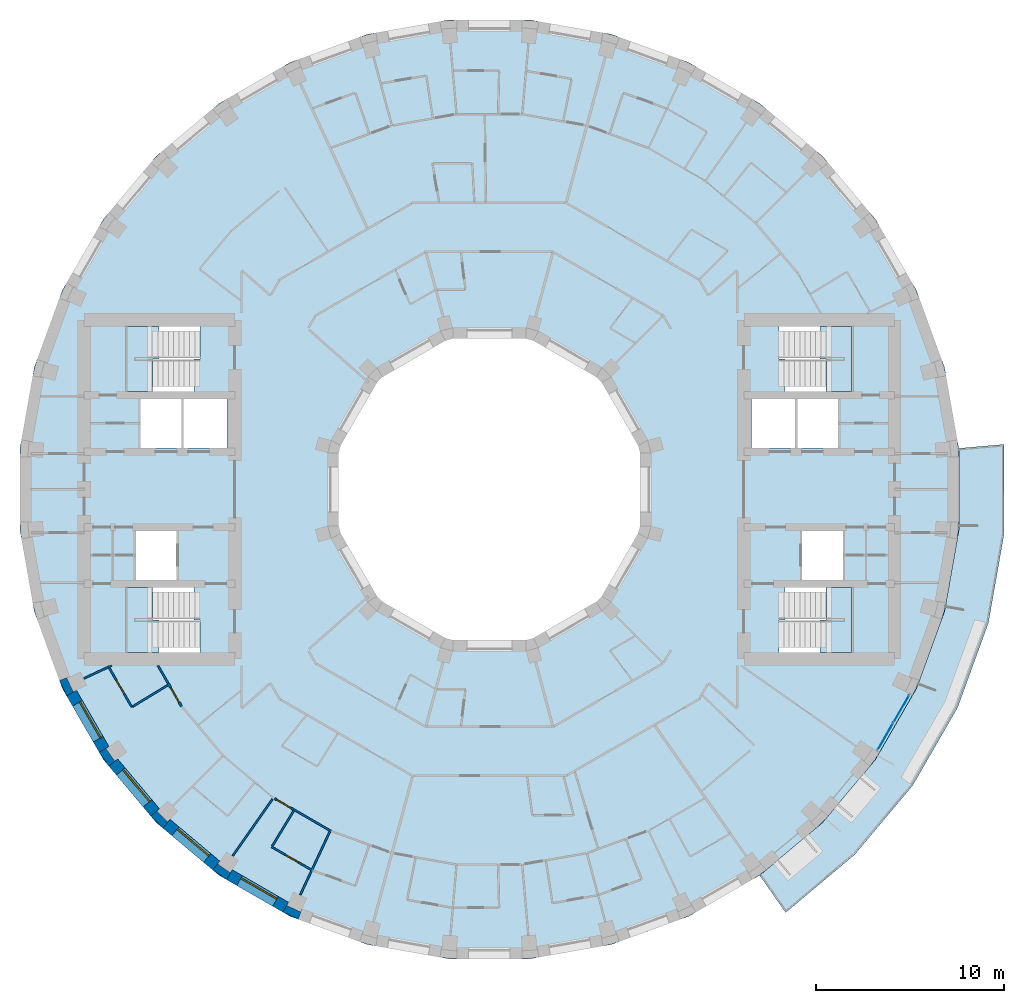
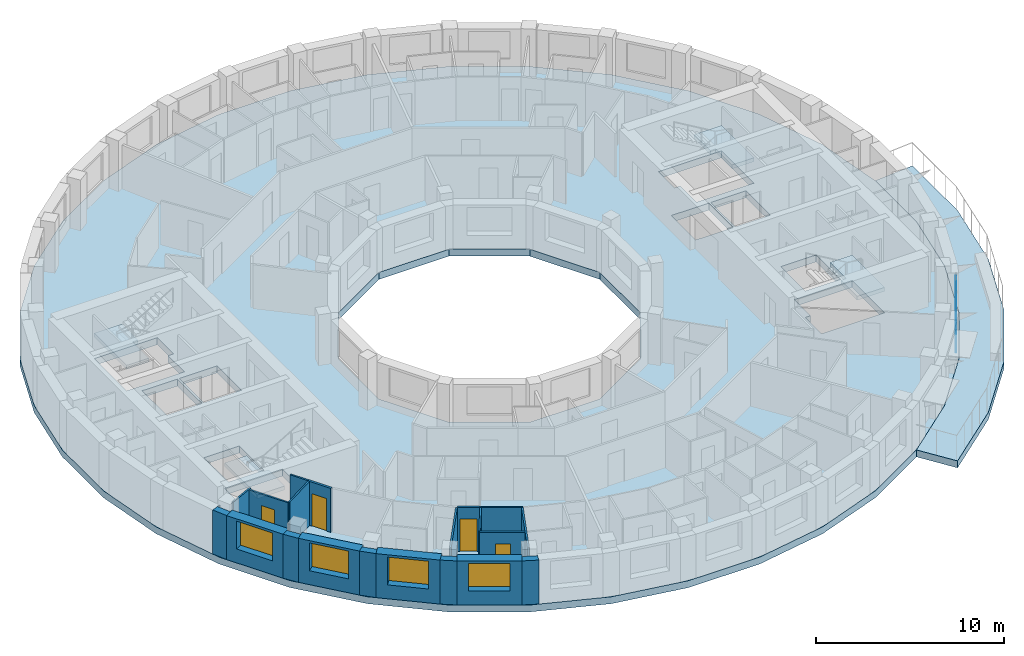
# One storey, part 3 of 14: 20 walls, 6 slabs, 4 doors, 4 plates, 4 windows, 8 openings, 5 elements without a shape of their own.
"""IFC4 building model written with IfcOpenShell, lengths in metres."""

from ifc_helpers import new_model, si_unit, direction, frame, frame_2d, origin, origin_2d, place, context, subcontext, project, spatial, polyline, rectangle, outline, extrude, material, layer, layer_set, type_object, element, fill, aggregate, save


model = new_model("IFC4")

# Units and contexts
model_context = context("Model", 3, precision=1e-05, world=origin(), true_north=direction((0.0, 1.0)))
body_context = subcontext(model_context, "Body", "Model", "MODEL_VIEW")
ifc_project = project(units=[si_unit("LENGTHUNIT", "METRE"), si_unit("AREAUNIT", "SQUARE_METRE"), si_unit("VOLUMEUNIT", "CUBIC_METRE"), si_unit("PLANEANGLEUNIT", "RADIAN"), si_unit("MASSUNIT", "GRAM", prefix="KILO")], contexts=[model_context])

# Site, building, storey
site_placement = place(None, origin())
site = spatial("IfcSite", under=ifc_project, at=site_placement, CompositionType="ELEMENT")
building_placement = place(site_placement, origin())
building = spatial("IfcBuilding", under=site, at=building_placement, Name="Saqina Gate Tower", CompositionType="ELEMENT")
storey_placement = place(building_placement, frame((0.0, 0.0, 174.0)))
storey = spatial("IfcBuildingStorey", under=building, at=storey_placement, Name="L49", CompositionType="ELEMENT", Elevation=174.0)

# Curtain wall, plates
ifc_material_1 = material(Name="Aluminium glazing", Category="aluminium")
ifc_layer_1 = layer(ifc_material_1, 0.159912109375)
ifc_layer_set_1 = layer_set([ifc_layer_1], Name="CWT-4")
curtain_wall_type = type_object("IfcCurtainWallType", Name="CWT-4", PredefinedType="NOTDEFINED", material=ifc_layer_set_1)
curtain_wall_placement = place(storey_placement, origin())
curtain_wall = element("IfcCurtainWall", 1, at=curtain_wall_placement, inside=storey, type_object=curtain_wall_type, Name="Terrace lounge glazing facet 33", PredefinedType="NOTDEFINED")
ifc_material_2 = material(Name="Glass", Category="glass")
ifc_layer_2 = layer(ifc_material_2, 0.028076171875)
ifc_layer_set_2 = layer_set([ifc_layer_2], Name="CWT-4P")
plate_type = type_object("IfcPlateType", Name="CWT-4P", PredefinedType="CURTAIN_PANEL", material=ifc_layer_set_2)
plate_1_placement = place(storey_placement, frame((21.0146484375, -13.111328125, 0.06005859375), z_axis=(0.0, 0.0, 1.0), x_axis=(0.500014364391, 0.866017110341, 0.0)))
plate_1 = element("IfcPlate", 2, at=plate_1_placement, type_object=plate_type, Name="CW4-33 panel 1.1", PredefinedType="CURTAIN_PANEL", context=body_context, shape_type="SweptSolid", body=[
    extrude(rectangle(XDim=1.634765625, YDim=0.028076171875, at=origin_2d()), origin(), (0.0, 0.0, 1.0), 2.31005859375),
])
plate_2_placement = place(storey_placement, frame((21.0146484375, -13.111328125, 2.43017578125), z_axis=(0.0, 0.0, 1.0), x_axis=(0.500014364391, 0.866017110341, 0.0)))
plate_2 = element("IfcPlate", 3, at=plate_2_placement, type_object=plate_type, Name="CW4-33 panel 1.2", PredefinedType="CURTAIN_PANEL", context=body_context, shape_type="SweptSolid", body=[
    extrude(rectangle(XDim=1.634765625, YDim=0.028076171875, at=origin_2d()), origin(), (0.0, 0.0, 1.0), 0.360107421875),
])
plate_3_placement = place(storey_placement, frame((21.862060546875, -11.6435546875, 0.06005859375), z_axis=(0.0, 0.0, 1.0), x_axis=(0.500014364391, 0.866017110341, 0.0)))
plate_3 = element("IfcPlate", 4, at=plate_3_placement, type_object=plate_type, Name="CW4-33 panel 2.1", PredefinedType="CURTAIN_PANEL", context=body_context, shape_type="SweptSolid", body=[
    extrude(rectangle(XDim=1.634765625, YDim=0.028076171875, at=origin_2d()), origin(), (0.0, 0.0, 1.0), 2.31005859375),
])
plate_4_placement = place(storey_placement, frame((21.862060546875, -11.6435546875, 2.43017578125), z_axis=(0.0, 0.0, 1.0), x_axis=(0.500014364391, 0.866017110341, 0.0)))
plate_4 = element("IfcPlate", 5, at=plate_4_placement, type_object=plate_type, Name="CW4-33 panel 2.2", PredefinedType="CURTAIN_PANEL", context=body_context, shape_type="SweptSolid", body=[
    extrude(rectangle(XDim=1.634765625, YDim=0.028076171875, at=origin_2d()), origin(), (0.0, 0.0, 1.0), 0.360107421875),
])
aggregate(curtain_wall, [plate_1, plate_2, plate_3, plate_4])

# Stair, slab
ifc_material_3 = material(Name="Concrete C40/50", Category="concrete")
stair_type = type_object("IfcStairType", Name="EXIT STAIR", PredefinedType="HALF_TURN_STAIR", material=ifc_material_3)
stair_1_placement = place(storey_placement, origin())
stair_1 = element("IfcStair", 6, at=stair_1_placement, inside=storey, type_object=stair_type, Name="EXIT STAIR 1", PredefinedType="HALF_TURN_STAIR")
ifc_material_4 = material(Name="Concrete C40/50", Category="concrete")
ifc_layer_3 = layer(ifc_material_4, 0.25)
ifc_layer_set_3 = layer_set([ifc_layer_3], Name="Concrete C40/50")
slab_type_1 = type_object("IfcSlabType", Name="EXIT STAIR LANDING", PredefinedType="LANDING", material=ifc_layer_set_3)
slab_1_placement = place(storey_placement, frame((0.0, 0.0, 1.39990234375)))
slab_1 = element("IfcSlab", 7, at=slab_1_placement, type_object=slab_type_1, Name="EXIT STAIR 1 LANDING 1", PredefinedType="LANDING", context=body_context, shape_type="SweptSolid", body=[
    extrude(outline(polyline([(19.219970703125, 8.64990234375), (19.219970703125, 5.199951171875), (17.864990234375, 5.199951171875), (17.864990234375, 6.925048828125), (17.534423828125, 6.925048828125), (17.534423828125, 8.64990234375), (17.864990234375, 8.64990234375), (17.8701171875, 8.64990234375), (19.219970703125, 8.64990234375)])), origin(), (0.0, 0.0, 1.0), 0.25),
])
aggregate(stair_1, [slab_1])

stair_2_placement = place(storey_placement, origin())
stair_2 = element("IfcStair", 8, at=stair_2_placement, inside=storey, type_object=stair_type, Name="EXIT STAIR 2", PredefinedType="HALF_TURN_STAIR")
slab_2_placement = place(storey_placement, frame((0.0, 0.0, 1.39990234375)))
slab_2 = element("IfcSlab", 9, at=slab_2_placement, type_object=slab_type_1, Name="EXIT STAIR 2 LANDING 1", PredefinedType="LANDING", context=body_context, shape_type="SweptSolid", body=[
    extrude(outline(polyline([(17.534423828125, -8.64990234375), (17.534423828125, -6.925048828125), (17.864990234375, -6.925048828125), (17.864990234375, -5.199951171875), (19.219970703125, -5.199951171875), (19.219970703125, -8.64990234375), (17.8701171875, -8.64990234375), (17.864990234375, -8.64990234375), (17.534423828125, -8.64990234375)])), origin(), (0.0, 0.0, 1.0), 0.25),
])
aggregate(stair_2, [slab_2])

stair_3_placement = place(storey_placement, origin())
stair_3 = element("IfcStair", 10, at=stair_3_placement, inside=storey, type_object=stair_type, Name="EXIT STAIR 3", PredefinedType="HALF_TURN_STAIR")
slab_3_placement = place(storey_placement, frame((0.0, 0.0, 1.39990234375)))
slab_3 = element("IfcSlab", 11, at=slab_3_placement, type_object=slab_type_1, Name="EXIT STAIR 3 LANDING 1", PredefinedType="LANDING", context=body_context, shape_type="SweptSolid", body=[
    extrude(outline(polyline([(-17.864990234375, 5.199951171875), (-19.219970703125, 5.199951171875), (-19.219970703125, 8.64990234375), (-17.8701171875, 8.64990234375), (-17.864990234375, 8.64990234375), (-17.534423828125, 8.64990234375), (-17.534423828125, 6.925048828125), (-17.864990234375, 6.925048828125), (-17.864990234375, 5.199951171875)])), origin(), (0.0, 0.0, 1.0), 0.25),
])
aggregate(stair_3, [slab_3])

stair_4_placement = place(storey_placement, origin())
stair_4 = element("IfcStair", 12, at=stair_4_placement, inside=storey, type_object=stair_type, Name="EXIT STAIR 4", PredefinedType="HALF_TURN_STAIR")
slab_4_placement = place(storey_placement, frame((0.0, 0.0, 1.39990234375)))
slab_4 = element("IfcSlab", 13, at=slab_4_placement, type_object=slab_type_1, Name="EXIT STAIR 4 LANDING 1", PredefinedType="LANDING", context=body_context, shape_type="SweptSolid", body=[
    extrude(outline(polyline([(-17.534423828125, -6.925048828125), (-17.534423828125, -8.64990234375), (-17.864990234375, -8.64990234375), (-17.8701171875, -8.64990234375), (-19.219970703125, -8.64990234375), (-19.219970703125, -5.199951171875), (-17.864990234375, -5.199951171875), (-17.864990234375, -6.925048828125), (-17.534423828125, -6.925048828125)])), origin(), (0.0, 0.0, 1.0), 0.25),
])
aggregate(stair_4, [slab_4])

# Slabs
ifc_material_5 = material(Name="Concrete C40/50", Category="concrete")
ifc_layer_4 = layer(ifc_material_5, 0.449951171875)
ifc_layer_set_4 = layer_set([ifc_layer_4], Name="Concrete C40/50")
slab_type_2 = type_object("IfcSlabType", Name="STR-POST-TENSIONED FLAT PLATE FLOOR-450", PredefinedType="FLOOR", material=ifc_layer_set_4)
slab_5_placement = place(storey_placement, frame((0.0, 0.0, -0.449951171875)))
element("IfcSlab", 14, at=slab_5_placement, inside=storey, type_object=slab_type_2, Name="L49-SLB01", PredefinedType="FLOOR", context=body_context, shape_type="SweptSolid", body=[
    extrude(outline(polyline([(24.148193359375, -6.470458984375), (24.90478515625, -2.178955078125), (24.90478515625, 2.178955078125), (24.148193359375, 6.470458984375), (22.65771484375, 10.5654296875), (20.478759765625, 14.33935546875), (17.677734375, 17.677734375), (14.33935546875, 20.478759765625), (10.5654296875, 22.65771484375), (6.470458984375, 24.148193359375), (2.178955078125, 24.90478515625), (-2.178955078125, 24.90478515625), (-6.470458984375, 24.148193359375), (-10.5654296875, 22.65771484375), (-14.33935546875, 20.478759765625), (-17.677734375, 17.677734375), (-20.478759765625, 14.33935546875), (-22.65771484375, 10.5654296875), (-24.148193359375, 6.470458984375), (-24.90478515625, 2.178955078125), (-24.90478515625, -2.178955078125), (-24.148193359375, -6.470458984375), (-22.65771484375, -10.5654296875), (-20.478759765625, -14.33935546875), (-17.677734375, -17.677734375), (-14.33935546875, -20.478759765625), (-10.5654296875, -22.65771484375), (-6.470458984375, -24.148193359375), (-2.178955078125, -24.90478515625), (2.178955078125, -24.90478515625), (6.470458984375, -24.148193359375), (10.5654296875, -22.65771484375), (14.33935546875, -20.478759765625), (17.677734375, -17.677734375), (20.478759765625, -14.33935546875), (22.65771484375, -10.5654296875), (24.148193359375, -6.470458984375)]), holes=[polyline([(2.1435546875, 8.0), (5.8564453125, 5.8564453125), (8.0, 2.1435546875), (8.0, -2.1435546875), (5.8564453125, -5.8564453125), (2.1435546875, -8.0), (-2.1435546875, -8.0), (-5.8564453125, -5.8564453125), (-8.0, -2.1435546875), (-8.0, 2.1435546875), (-5.8564453125, 5.8564453125), (-2.1435546875, 8.0), (2.1435546875, 8.0)]), polyline([(-15.35498046875, -8.64990234375), (-19.219970703125, -8.64990234375), (-19.219970703125, -6.925048828125), (-19.219970703125, -5.199951171875), (-15.685546875, -5.199951171875), (-15.685546875, -6.925048828125), (-15.35498046875, -6.925048828125), (-15.35498046875, -8.64990234375)]), polyline([(-16.590087890625, -2.199951171875), (-16.590087890625, -4.800048828125), (-18.75, -4.800048828125), (-18.75, -2.199951171875), (-16.590087890625, -2.199951171875)]), polyline([(-16.340087890625, 4.800048828125), (-16.340087890625, 2.199951171875), (-18.5, 2.199951171875), (-18.5, 4.800048828125), (-16.340087890625, 4.800048828125)]), polyline([(-13.909912109375, 4.800048828125), (-13.909912109375, 2.199951171875), (-16.219970703125, 2.199951171875), (-16.219970703125, 4.800048828125), (-13.909912109375, 4.800048828125)]), polyline([(-19.219970703125, 6.925048828125), (-19.219970703125, 8.64990234375), (-15.35498046875, 8.64990234375), (-15.35498046875, 6.925048828125), (-15.685546875, 6.925048828125), (-15.685546875, 5.199951171875), (-19.219970703125, 5.199951171875), (-19.219970703125, 6.925048828125)]), polyline([(15.35498046875, -8.64990234375), (15.35498046875, -6.925048828125), (15.685546875, -6.925048828125), (15.685546875, -5.199951171875), (19.219970703125, -5.199951171875), (19.219970703125, -6.925048828125), (19.219970703125, -8.64990234375), (15.35498046875, -8.64990234375)]), polyline([(18.75, -2.199951171875), (18.75, -4.800048828125), (16.590087890625, -4.800048828125), (16.590087890625, -2.199951171875), (18.75, -2.199951171875)]), polyline([(16.219970703125, 4.800048828125), (16.219970703125, 2.199951171875), (13.909912109375, 2.199951171875), (13.909912109375, 4.800048828125), (16.219970703125, 4.800048828125)]), polyline([(18.5, 4.800048828125), (18.5, 2.199951171875), (16.340087890625, 2.199951171875), (16.340087890625, 4.800048828125), (18.5, 4.800048828125)]), polyline([(15.685546875, 6.925048828125), (15.35498046875, 6.925048828125), (15.35498046875, 8.64990234375), (19.219970703125, 8.64990234375), (19.219970703125, 6.925048828125), (19.219970703125, 5.199951171875), (15.685546875, 5.199951171875), (15.685546875, 6.925048828125)])]), origin(), (0.0, 0.0, 1.0), 0.449951171875),
])
ifc_material_6 = material(Name="Concrete C40/50", Category="concrete")
ifc_layer_5 = layer(ifc_material_6, 0.449951171875)
ifc_layer_set_5 = layer_set([ifc_layer_5], Name="Concrete C40/50")
slab_type_3 = type_object("IfcSlabType", Name="STR-POST-TENSIONED FLAT PLATE TERRACE-450", PredefinedType="FLOOR", material=ifc_layer_set_5)
slab_6_placement = place(storey_placement, frame((0.0, 0.0, -0.449951171875)))
element("IfcSlab", 15, at=slab_6_placement, inside=storey, type_object=slab_type_3, Name="L49-TRS01", PredefinedType="FLOOR", context=body_context, shape_type="SweptSolid", body=[
    extrude(outline(polyline([(14.33935546875, -20.478759765625), (17.677734375, -17.677734375), (20.478759765625, -14.33935546875), (22.65771484375, -10.5654296875), (24.148193359375, -6.470458984375), (24.90478515625, -2.178955078125), (24.90478515625, 2.178955078125), (27.304931640625, 2.388916015625), (27.304931640625, -2.388916015625), (26.475341796875, -7.093994140625), (24.841064453125, -11.58349609375), (22.452392578125, -15.72119140625), (19.381103515625, -19.381103515625), (15.72119140625, -22.452392578125), (14.33935546875, -20.478759765625)])), origin(), (0.0, 0.0, 1.0), 0.449951171875),
])

# Walls
ifc_material_7 = material(Name="Brick masonry (buff)", Category="masonry")
wall_type_1 = type_object("IfcWallType", Name="BRICK PIER COPING BUFF", PredefinedType="SOLIDWALL", material=ifc_material_7)
wall_1_placement = place(storey_placement, origin())
element("IfcWall", 16, at=wall_1_placement, inside=storey, type_object=wall_type_1, Name="Pier cap L49 column 21", PredefinedType="SOLIDWALL", context=body_context, shape_type="SweptSolid", body=[
    extrude(outline(polyline([(-22.4306640625, -10.958740234375), (-21.9111328125, -10.65869140625), (-22.080810546875, -10.73779296875), (-22.4189453125, -10.0126953125), (-22.249267578125, -9.93359375), (-22.81298828125, -10.138916015625), (-22.4306640625, -10.958740234375)])), origin(), (0.0, 0.0, 1.0), 2.85009765625),
])
wall_2_placement = place(storey_placement, origin())
element("IfcWall", 17, at=wall_2_placement, inside=storey, type_object=wall_type_1, Name="Pier cap L49 column 22", PredefinedType="SOLIDWALL", context=body_context, shape_type="SweptSolid", body=[
    extrude(outline(polyline([(-20.705810546875, -13.9462890625), (-20.18701171875, -14.687255859375), (-19.727294921875, -14.301513671875), (-19.880859375, -14.408935546875), (-20.339599609375, -13.753662109375), (-20.186279296875, -13.646240234375), (-20.705810546875, -13.9462890625)])), origin(), (0.0, 0.0, 1.0), 2.85009765625),
])
wall_3_placement = place(storey_placement, origin())
element("IfcWall", 18, at=wall_3_placement, inside=storey, type_object=wall_type_1, Name="Pier cap L49 column 23", PredefinedType="SOLIDWALL", context=body_context, shape_type="SweptSolid", body=[
    extrude(outline(polyline([(-17.329833984375, -17.969482421875), (-16.944091796875, -17.510009765625), (-17.07666015625, -17.642333984375), (-17.642333984375, -17.07666015625), (-17.510009765625, -16.944091796875), (-17.969482421875, -17.329833984375), (-17.329833984375, -17.969482421875)])), origin(), (0.0, 0.0, 1.0), 2.85009765625),
])
wall_4_placement = place(storey_placement, origin())
element("IfcWall", 19, at=wall_4_placement, inside=storey, type_object=wall_type_1, Name="Pier cap L49 column 24", PredefinedType="SOLIDWALL", context=body_context, shape_type="SweptSolid", body=[
    extrude(outline(polyline([(-14.687255859375, -20.18701171875), (-13.9462890625, -20.705810546875), (-13.646240234375, -20.186279296875), (-13.753662109375, -20.339599609375), (-14.408935546875, -19.880859375), (-14.301513671875, -19.727294921875), (-14.687255859375, -20.18701171875)])), origin(), (0.0, 0.0, 1.0), 2.85009765625),
])
wall_5_placement = place(storey_placement, origin())
element("IfcWall", 20, at=wall_5_placement, inside=storey, type_object=wall_type_1, Name="Pier cap L49 column 25", PredefinedType="SOLIDWALL", context=body_context, shape_type="SweptSolid", body=[
    extrude(outline(polyline([(-10.138916015625, -22.81298828125), (-9.93359375, -22.249267578125), (-10.0126953125, -22.4189453125), (-10.73779296875, -22.080810546875), (-10.65869140625, -21.9111328125), (-10.958740234375, -22.4306640625), (-10.138916015625, -22.81298828125)])), origin(), (0.0, 0.0, 1.0), 2.85009765625),
])

# Wall, opening, window
ifc_material_8 = material(Name="Brick masonry (buff)", Category="masonry")
ifc_layer_6 = layer(ifc_material_8, 0.60009765625)
ifc_layer_set_6 = layer_set([ifc_layer_6], Name="FW-BRICK-BUFF")
wall_type_2 = type_object("IfcWallType", Name="FW-BRICK-BUFF", PredefinedType="SOLIDWALL", material=ifc_layer_set_6)
wall_6_placement = place(storey_placement, frame((-22.1708984375, -10.80859375, 0.0), z_axis=(0.0, 0.0, 1.0), x_axis=(0.499998129301, -0.86602648383, 0.0)))
wall_6 = element("IfcWall", 21, at=wall_6_placement, inside=storey, type_object=wall_type_2, Name="Facade wall L49 facet 21", PredefinedType="SOLIDWALL", context=body_context, shape_type="SweptSolid", body=[
    extrude(rectangle(XDim=3.44970703125, YDim=0.60009765625, at=frame_2d((1.724853515625, 0.0))), origin(), (0.0, 0.0, 1.0), 2.85009765625),
])
opening_1_placement = place(wall_6_placement, frame((0.625, 0.0, 0.89990234375)))
opening_1 = element("IfcOpeningElement", 22, at=opening_1_placement, cuts=wall_6, Name="Opening G14-W14", PredefinedType="OPENING", context=body_context, shape_type="SweptSolid", body=[
    extrude(rectangle(XDim=2.199951171875, YDim=1.800048828125, at=frame_2d((1.10009765625, 0.89990234375))), frame((0.0, 0.31201171875, 0.0), z_axis=(0.0, -1.0, 0.0), x_axis=(1.0, 0.0, 0.0)), (0.0, 0.0, 1.0), 0.6240234375),
])
ifc_material_9 = material(Name="Aluminium glazing", Category="aluminium")
window_type = type_object("IfcWindowType", Name="WN-C", PartitioningType="SINGLE_PANEL", PredefinedType="WINDOW", material=ifc_material_9)
window_1_placement = place(opening_1_placement, origin())
window_1 = element("IfcWindow", 23, at=window_1_placement, inside=storey, type_object=window_type, Name="Window L49 facet 21", OverallHeight=1.800048828125, OverallWidth=2.199951171875, PartitioningType="SINGLE_PANEL", PredefinedType="WINDOW", context=body_context, shape_type="SweptSolid", body=[
    extrude(rectangle(XDim=2.199951171875, YDim=1.800048828125, at=frame_2d((1.10009765625, 0.89990234375))), frame((0.0, 0.179931640625, 0.0), z_axis=(0.0, -1.0, 0.0), x_axis=(1.0, 0.0, 0.0)), (0.0, 0.0, 1.0), 0.06005859375),
])
fill(opening_1, window_1)

wall_7_placement = place(storey_placement, frame((-19.95703125, -14.494384765625, 0.0), z_axis=(0.0, 0.0, 1.0), x_axis=(0.642770398358, -0.766058884809, 0.0)))
wall_7 = element("IfcWall", 24, at=wall_7_placement, inside=storey, type_object=wall_type_2, Name="Facade wall L49 facet 22", PredefinedType="SOLIDWALL", context=body_context, shape_type="SweptSolid", body=[
    extrude(rectangle(XDim=3.449462890625, YDim=0.60009765625, at=frame_2d((1.724609375, 0.0))), origin(), (0.0, 0.0, 1.0), 2.85009765625),
])
opening_2_placement = place(wall_7_placement, frame((0.625, 0.0, 0.89990234375)))
opening_2 = element("IfcOpeningElement", 25, at=opening_2_placement, cuts=wall_7, Name="Opening G14-W15", PredefinedType="OPENING", context=body_context, shape_type="SweptSolid", body=[
    extrude(rectangle(XDim=2.199951171875, YDim=1.800048828125, at=frame_2d((1.10009765625, 0.89990234375))), frame((0.0, 0.31201171875, 0.0), z_axis=(0.0, -1.0, 0.0), x_axis=(1.0, 0.0, 0.0)), (0.0, 0.0, 1.0), 0.6240234375),
])
window_2_placement = place(opening_2_placement, origin())
window_2 = element("IfcWindow", 26, at=window_2_placement, inside=storey, type_object=window_type, Name="Window L49 facet 22", OverallHeight=1.800048828125, OverallWidth=2.199951171875, PartitioningType="SINGLE_PANEL", PredefinedType="WINDOW", context=body_context, shape_type="SweptSolid", body=[
    extrude(rectangle(XDim=2.199951171875, YDim=1.800048828125, at=frame_2d((1.10009765625, 0.89990234375))), frame((0.0, 0.179931640625, 0.0), z_axis=(0.0, -1.0, 0.0), x_axis=(1.0, 0.0, 0.0)), (0.0, 0.0, 1.0), 0.06005859375),
])
fill(opening_2, window_2)

wall_8_placement = place(storey_placement, frame((-17.136962890625, -17.73974609375, 0.0), z_axis=(0.0, 0.0, 1.0), x_axis=(0.766058884809, -0.642770398358, 0.0)))
wall_8 = element("IfcWall", 27, at=wall_8_placement, inside=storey, type_object=wall_type_2, Name="Facade wall L49 facet 23", PredefinedType="SOLIDWALL", context=body_context, shape_type="SweptSolid", body=[
    extrude(rectangle(XDim=3.449462890625, YDim=0.60009765625, at=frame_2d((1.724609375, 0.0))), origin(), (0.0, 0.0, 1.0), 2.85009765625),
])
opening_3_placement = place(wall_8_placement, frame((0.625, 0.0, 0.89990234375)))
opening_3 = element("IfcOpeningElement", 28, at=opening_3_placement, cuts=wall_8, Name="Opening G14-W16", PredefinedType="OPENING", context=body_context, shape_type="SweptSolid", body=[
    extrude(rectangle(XDim=2.199951171875, YDim=1.800048828125, at=frame_2d((1.10009765625, 0.89990234375))), frame((0.0, 0.31201171875, 0.0), z_axis=(0.0, -1.0, 0.0), x_axis=(1.0, 0.0, 0.0)), (0.0, 0.0, 1.0), 0.6240234375),
])
window_3_placement = place(opening_3_placement, origin())
window_3 = element("IfcWindow", 29, at=window_3_placement, inside=storey, type_object=window_type, Name="Window L49 facet 23", OverallHeight=1.800048828125, OverallWidth=2.199951171875, PartitioningType="SINGLE_PANEL", PredefinedType="WINDOW", context=body_context, shape_type="SweptSolid", body=[
    extrude(rectangle(XDim=2.199951171875, YDim=1.800048828125, at=frame_2d((1.10009765625, 0.89990234375))), frame((0.0, 0.179931640625, 0.0), z_axis=(0.0, -1.0, 0.0), x_axis=(1.0, 0.0, 0.0)), (0.0, 0.0, 1.0), 0.06005859375),
])
fill(opening_3, window_3)

wall_9_placement = place(storey_placement, frame((-13.796142578125, -20.446044921875, 0.0), z_axis=(0.0, 0.0, 1.0), x_axis=(0.86602648383, -0.499998129301, 0.0)))
wall_9 = element("IfcWall", 30, at=wall_9_placement, inside=storey, type_object=wall_type_2, Name="Facade wall L49 facet 24", PredefinedType="SOLIDWALL", context=body_context, shape_type="SweptSolid", body=[
    extrude(rectangle(XDim=3.44970703125, YDim=0.60009765625, at=frame_2d((1.724853515625, 0.0))), origin(), (0.0, 0.0, 1.0), 2.85009765625),
])
opening_4_placement = place(wall_9_placement, frame((0.625, 0.0, 0.89990234375)))
opening_4 = element("IfcOpeningElement", 31, at=opening_4_placement, cuts=wall_9, Name="Opening G14-W17", PredefinedType="OPENING", context=body_context, shape_type="SweptSolid", body=[
    extrude(rectangle(XDim=2.199951171875, YDim=1.800048828125, at=frame_2d((1.10009765625, 0.89990234375))), frame((0.0, 0.31201171875, 0.0), z_axis=(0.0, -1.0, 0.0), x_axis=(1.0, 0.0, 0.0)), (0.0, 0.0, 1.0), 0.6240234375),
])
window_4_placement = place(opening_4_placement, origin())
window_4 = element("IfcWindow", 32, at=window_4_placement, inside=storey, type_object=window_type, Name="Window L49 facet 24", OverallHeight=1.800048828125, OverallWidth=2.199951171875, PartitioningType="SINGLE_PANEL", PredefinedType="WINDOW", context=body_context, shape_type="SweptSolid", body=[
    extrude(rectangle(XDim=2.199951171875, YDim=1.800048828125, at=frame_2d((1.10009765625, 0.89990234375))), frame((0.0, 0.179931640625, 0.0), z_axis=(0.0, -1.0, 0.0), x_axis=(1.0, 0.0, 0.0)), (0.0, 0.0, 1.0), 0.06005859375),
])
fill(opening_4, window_4)

# Wall, opening, door
ifc_material_10 = material(Name="Gypsum board on steel studs, 100 mm", Category="steel")
ifc_layer_7 = layer(ifc_material_10, 0.10009765625)
ifc_layer_set_7 = layer_set([ifc_layer_7], Name="PARTITION 100")
wall_type_3 = type_object("IfcWallType", Name="PARTITION 100", PredefinedType="PARTITIONING", material=ifc_layer_set_7)
wall_10_placement = place(storey_placement, frame((-20.175537109375, -9.46435546875, 0.0), z_axis=(0.0, 0.0, 1.0), x_axis=(0.499824847066, -0.866126504764, 0.0)))
wall_10 = element("IfcWall", 33, at=wall_10_placement, inside=storey, type_object=wall_type_3, Name="PARTITION PW3-20", PredefinedType="PARTITIONING", context=body_context, shape_type="SweptSolid", body=[
    extrude(rectangle(XDim=2.407958984375, YDim=0.10009765625, at=frame_2d((1.2041015625, 0.0))), origin(), (0.0, 0.0, 1.0), 2.85009765625),
])
opening_5_placement = place(wall_10_placement, frame((0.778076171875, 0.0, 0.0)))
opening_5 = element("IfcOpeningElement", 34, at=opening_5_placement, cuts=wall_10, Name="Opening G14-D31", PredefinedType="OPENING", context=body_context, shape_type="SweptSolid", body=[
    extrude(rectangle(XDim=0.800048828125, YDim=2.10009765625, at=frame_2d((0.39990234375, 1.050048828125))), frame((0.0, 0.06201171875, 0.0), z_axis=(0.0, -1.0, 0.0), x_axis=(1.0, 0.0, 0.0)), (0.0, 0.0, 1.0), 0.1240234375),
])
ifc_material_11 = material(Name="Timber door leaf, 800 mm", Category="wood")
door_type_1 = type_object("IfcDoorType", Name="DOOR 800 TIMBER", OperationType="SINGLE_SWING_LEFT", PredefinedType="DOOR", material=ifc_material_11)
door_1_placement = place(opening_5_placement, frame((0.800048828125, 0.0, 0.0), z_axis=(0.0, 0.0, 1.0), x_axis=(-1.0, 0.0, 0.0)))
door_1 = element("IfcDoor", 35, at=door_1_placement, inside=storey, type_object=door_type_1, Name="DOOR G14-D31", OperationType="SINGLE_SWING_RIGHT", OverallHeight=2.10009765625, OverallWidth=0.800048828125, PredefinedType="DOOR", context=body_context, shape_type="SweptSolid", body=[
    extrude(rectangle(XDim=0.800048828125, YDim=2.10009765625, at=frame_2d((0.39990234375, 1.050048828125))), frame((0.0, 0.02490234375, 0.0), z_axis=(0.0, -1.0, 0.0), x_axis=(1.0, 0.0, 0.0)), (0.0, 0.0, 1.0), 0.050048828125),
])
fill(opening_5, door_1)

# Walls
wall_11_placement = place(storey_placement, frame((-17.5859375, -9.35009765625, 0.0), z_axis=(0.0, 0.0, 1.0), x_axis=(0.499902521513, -0.866081675701, 0.0)))
element("IfcWall", 36, at=wall_11_placement, inside=storey, type_object=wall_type_3, Name="PARTITION PW3-21", PredefinedType="PARTITIONING", context=body_context, shape_type="SweptSolid", body=[
    extrude(rectangle(XDim=1.095458984375, YDim=0.10009765625, at=frame_2d((0.5478515625, 0.0))), origin(), (0.0, 0.0, 1.0), 2.85009765625),
])
wall_12_placement = place(storey_placement, frame((-10.39453125, -16.97900390625, 0.0), z_axis=(0.0, 0.0, 1.0), x_axis=(0.86526186487, -0.501320162373, 0.0)))
element("IfcWall", 37, at=wall_12_placement, inside=storey, type_object=wall_type_3, Name="PARTITION PW3-34", PredefinedType="PARTITIONING", context=body_context, shape_type="SweptSolid", body=[
    extrude(rectangle(XDim=2.304931640625, YDim=0.10009765625, at=frame_2d((1.15234375, 0.0))), origin(), (0.0, 0.0, 1.0), 2.85009765625),
])

# Wall, opening, door
wall_13_placement = place(storey_placement, frame((-11.550048828125, -18.971923828125, 0.0), z_axis=(0.0, 0.0, 1.0), x_axis=(0.866140030745, -0.499801407703, 0.0)))
wall_13 = element("IfcWall", 38, at=wall_13_placement, inside=storey, type_object=wall_type_3, Name="PARTITION PW3-36", PredefinedType="PARTITIONING", context=body_context, shape_type="SweptSolid", body=[
    extrude(rectangle(XDim=2.4091796875, YDim=0.10009765625, at=frame_2d((1.20458984375, 0.0))), origin(), (0.0, 0.0, 1.0), 2.85009765625),
])
opening_6_placement = place(wall_13_placement, frame((0.82958984375, 0.0, 0.0)))
opening_6 = element("IfcOpeningElement", 39, at=opening_6_placement, cuts=wall_13, Name="Opening G14-D39", PredefinedType="OPENING", context=body_context, shape_type="SweptSolid", body=[
    extrude(rectangle(XDim=0.800048828125, YDim=2.10009765625, at=frame_2d((0.39990234375, 1.050048828125))), frame((0.0, 0.06201171875, 0.0), z_axis=(0.0, -1.0, 0.0), x_axis=(1.0, 0.0, 0.0)), (0.0, 0.0, 1.0), 0.1240234375),
])
door_2_placement = place(opening_6_placement, frame((0.800048828125, 0.0, 0.0), z_axis=(0.0, 0.0, 1.0), x_axis=(-1.0, 0.0, 0.0)))
door_2 = element("IfcDoor", 40, at=door_2_placement, inside=storey, type_object=door_type_1, Name="DOOR G14-D39", OperationType="SINGLE_SWING_LEFT", OverallHeight=2.10009765625, OverallWidth=0.800048828125, PredefinedType="DOOR", context=body_context, shape_type="SweptSolid", body=[
    extrude(rectangle(XDim=0.800048828125, YDim=2.10009765625, at=frame_2d((0.39990234375, 1.050048828125))), frame((0.0, 0.02490234375, 0.0), z_axis=(0.0, -1.0, 0.0), x_axis=(1.0, 0.0, 0.0)), (0.0, 0.0, 1.0), 0.050048828125),
])
fill(opening_6, door_2)

# Walls
wall_14_placement = place(storey_placement, frame((-21.515625, -10.033203125, 0.0), z_axis=(0.0, 0.0, 1.0), x_axis=(0.906156125341, 0.422943349051, 0.0)))
element("IfcWall", 41, at=wall_14_placement, inside=storey, type_object=wall_type_3, Name="PARTITION PW3-67", PredefinedType="PARTITIONING", context=body_context, shape_type="SweptSolid", body=[
    extrude(rectangle(XDim=1.6162109375, YDim=0.10009765625, at=frame_2d((0.80810546875, 0.0))), origin(), (0.0, 0.0, 1.0), 2.85009765625),
])
wall_15_placement = place(storey_placement, frame((-18.927734375, -11.52294921875, 0.0), z_axis=(0.0, 0.0, 1.0), x_axis=(0.854045436393, 0.520198416545, 0.0)))
element("IfcWall", 42, at=wall_15_placement, inside=storey, type_object=wall_type_3, Name="PARTITION PW3-73", PredefinedType="PARTITIONING", context=body_context, shape_type="SweptSolid", body=[
    extrude(rectangle(XDim=2.1865234375, YDim=0.10009765625, at=frame_2d((1.09326171875, 0.0))), origin(), (0.0, 0.0, 1.0), 2.85009765625),
])
wall_16_placement = place(storey_placement, frame((-13.616943359375, -19.446533203125, 0.0), z_axis=(0.0, 0.0, 1.0), x_axis=(0.573515531974, 0.819194686619, 0.0)))
element("IfcWall", 43, at=wall_16_placement, inside=storey, type_object=wall_type_3, Name="PARTITION PW3-88", PredefinedType="PARTITIONING", context=body_context, shape_type="SweptSolid", body=[
    extrude(rectangle(XDim=3.69677734375, YDim=0.10009765625, at=frame_2d((1.848388671875, 0.0))), origin(), (0.0, 0.0, 1.0), 2.85009765625),
])
wall_17_placement = place(storey_placement, frame((-11.52392578125, -18.92919921875, 0.0), z_axis=(0.0, 0.0, 1.0), x_axis=(0.520291802012, 0.853988548377, 0.0)))
element("IfcWall", 44, at=wall_17_placement, inside=storey, type_object=wall_type_3, Name="PARTITION PW3-91", PredefinedType="PARTITIONING", context=body_context, shape_type="SweptSolid", body=[
    extrude(rectangle(XDim=2.20068359375, YDim=0.10009765625, at=frame_2d((1.100341796875, 0.0))), origin(), (0.0, 0.0, 1.0), 2.85009765625),
])
wall_18_placement = place(storey_placement, frame((-10.03369140625, -21.515380859375, 0.0), z_axis=(0.0, 0.0, 1.0), x_axis=(0.423040405982, 0.906110818226, 0.0)))
element("IfcWall", 45, at=wall_18_placement, inside=storey, type_object=wall_type_3, Name="PARTITION PW3-93", PredefinedType="PARTITIONING", context=body_context, shape_type="SweptSolid", body=[
    extrude(rectangle(XDim=3.708984375, YDim=0.10009765625, at=frame_2d((1.8544921875, 0.0))), origin(), (0.0, 0.0, 1.0), 2.85009765625),
])

# Wall, opening, door
ifc_material_12 = material(Name="Gypsum board on steel studs, 125 mm, fire rated", Category="steel")
ifc_layer_8 = layer(ifc_material_12, 0.125)
ifc_layer_set_8 = layer_set([ifc_layer_8], Name="PARTITION EI 30 125")
wall_type_4 = type_object("IfcWallType", Name="PARTITION EI 30 125", PredefinedType="PARTITIONING", material=ifc_layer_set_8)
wall_19_placement = place(storey_placement, frame((-17.038330078125, -10.298828125, 0.0), z_axis=(0.0, 0.0, 1.0), x_axis=(0.500147619332, -0.865940158947, 0.0)))
wall_19 = element("IfcWall", 46, at=wall_19_placement, inside=storey, type_object=wall_type_4, Name="PARTITION PW1-01", PredefinedType="PARTITIONING", context=body_context, shape_type="SweptSolid", body=[
    extrude(rectangle(XDim=1.408203125, YDim=0.125, at=frame_2d((0.7041015625, 0.0))), origin(), (0.0, 0.0, 1.0), 2.85009765625),
])
opening_7_placement = place(wall_19_placement, frame((0.2529296875, 0.0, 0.0)))
opening_7 = element("IfcOpeningElement", 47, at=opening_7_placement, cuts=wall_19, Name="Opening G14-D32", PredefinedType="OPENING", context=body_context, shape_type="SweptSolid", body=[
    extrude(rectangle(XDim=0.89990234375, YDim=2.10009765625, at=frame_2d((0.449951171875, 1.050048828125))), frame((0.0, 0.074462890625, 0.0), z_axis=(0.0, -1.0, 0.0), x_axis=(1.0, 0.0, 0.0)), (0.0, 0.0, 1.0), 0.14892578125),
])
ifc_material_13 = material(Name="Fire door leaf EI 30, 900 mm")
door_type_2 = type_object("IfcDoorType", Name="DOOR 900 EI 30", OperationType="SINGLE_SWING_LEFT", PredefinedType="DOOR", material=ifc_material_13)
door_3_placement = place(opening_7_placement, frame((0.89990234375, 0.0, 0.0), z_axis=(0.0, 0.0, 1.0), x_axis=(-1.0, 0.0, 0.0)))
door_3 = element("IfcDoor", 48, at=door_3_placement, inside=storey, type_object=door_type_2, Name="DOOR G14-D32", OperationType="SINGLE_SWING_RIGHT", OverallHeight=2.10009765625, OverallWidth=0.89990234375, PredefinedType="DOOR", context=body_context, shape_type="SweptSolid", body=[
    extrude(rectangle(XDim=0.89990234375, YDim=2.10009765625, at=frame_2d((0.449951171875, 1.050048828125))), frame((0.0, 0.02490234375, 0.0), z_axis=(0.0, -1.0, 0.0), x_axis=(1.0, 0.0, 0.0)), (0.0, 0.0, 1.0), 0.050048828125),
])
fill(opening_7, door_3)

wall_20_placement = place(storey_placement, frame((-11.406982421875, -16.398193359375, 0.0), z_axis=(0.0, 0.0, 1.0), x_axis=(0.865955664968, -0.500120771724, 0.0)))
wall_20 = element("IfcWall", 49, at=wall_20_placement, inside=storey, type_object=wall_type_4, Name="PARTITION PW1-15", PredefinedType="PARTITIONING", context=body_context, shape_type="SweptSolid", body=[
    extrude(rectangle(XDim=1.167236328125, YDim=0.125, at=frame_2d((0.58349609375, 0.0))), origin(), (0.0, 0.0, 1.0), 2.85009765625),
])
opening_8_placement = place(wall_20_placement, frame((0.127197265625, 0.0, 0.0)))
opening_8 = element("IfcOpeningElement", 50, at=opening_8_placement, cuts=wall_20, Name="Opening G14-D37", PredefinedType="OPENING", context=body_context, shape_type="SweptSolid", body=[
    extrude(rectangle(XDim=0.89990234375, YDim=2.10009765625, at=frame_2d((0.449951171875, 1.050048828125))), frame((0.0, 0.074462890625, 0.0), z_axis=(0.0, -1.0, 0.0), x_axis=(1.0, 0.0, 0.0)), (0.0, 0.0, 1.0), 0.14892578125),
])
door_4_placement = place(opening_8_placement, origin())
door_4 = element("IfcDoor", 51, at=door_4_placement, inside=storey, type_object=door_type_2, Name="DOOR G14-D37", OperationType="SINGLE_SWING_LEFT", OverallHeight=2.10009765625, OverallWidth=0.89990234375, PredefinedType="DOOR", context=body_context, shape_type="SweptSolid", body=[
    extrude(rectangle(XDim=0.89990234375, YDim=2.10009765625, at=frame_2d((0.449951171875, 1.050048828125))), frame((0.0, 0.02490234375, 0.0), z_axis=(0.0, -1.0, 0.0), x_axis=(1.0, 0.0, 0.0)), (0.0, 0.0, 1.0), 0.050048828125),
])
fill(opening_8, door_4)

save(model, "model.ifc")
